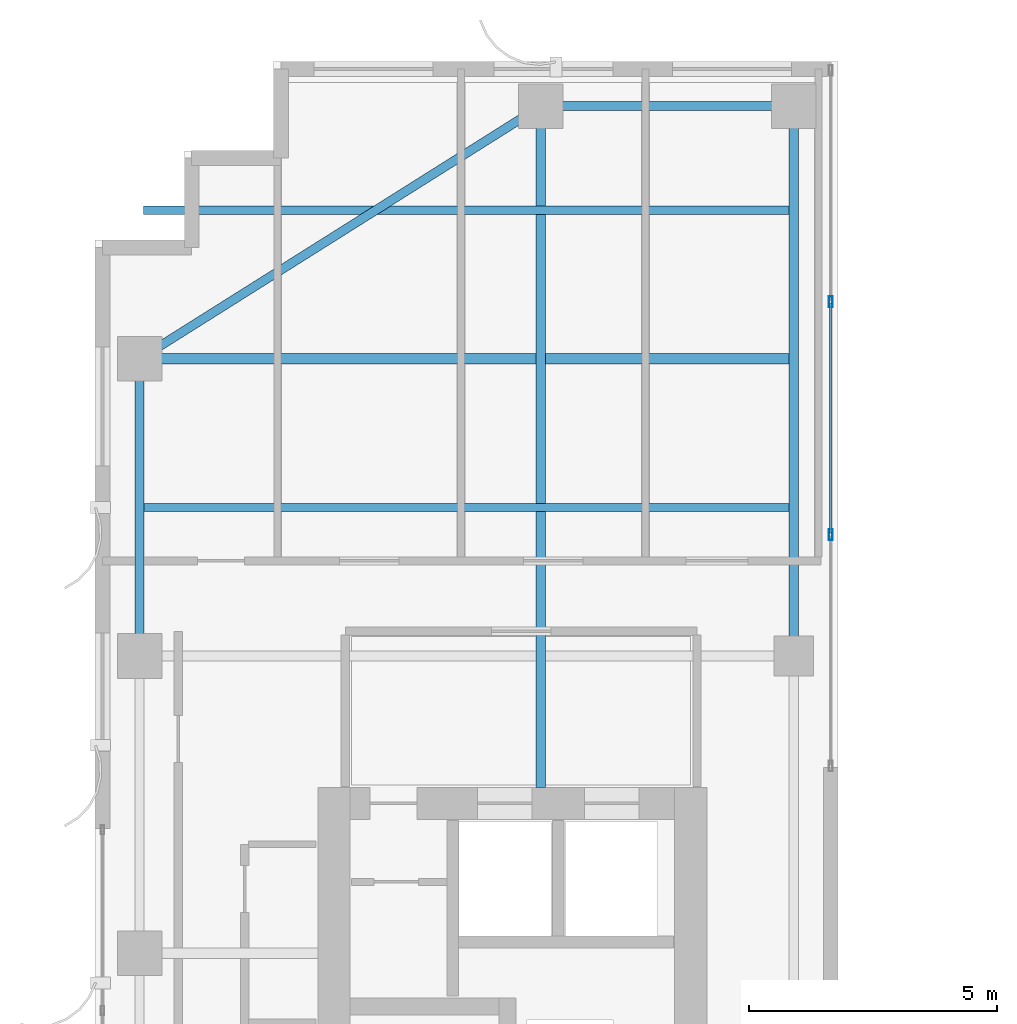
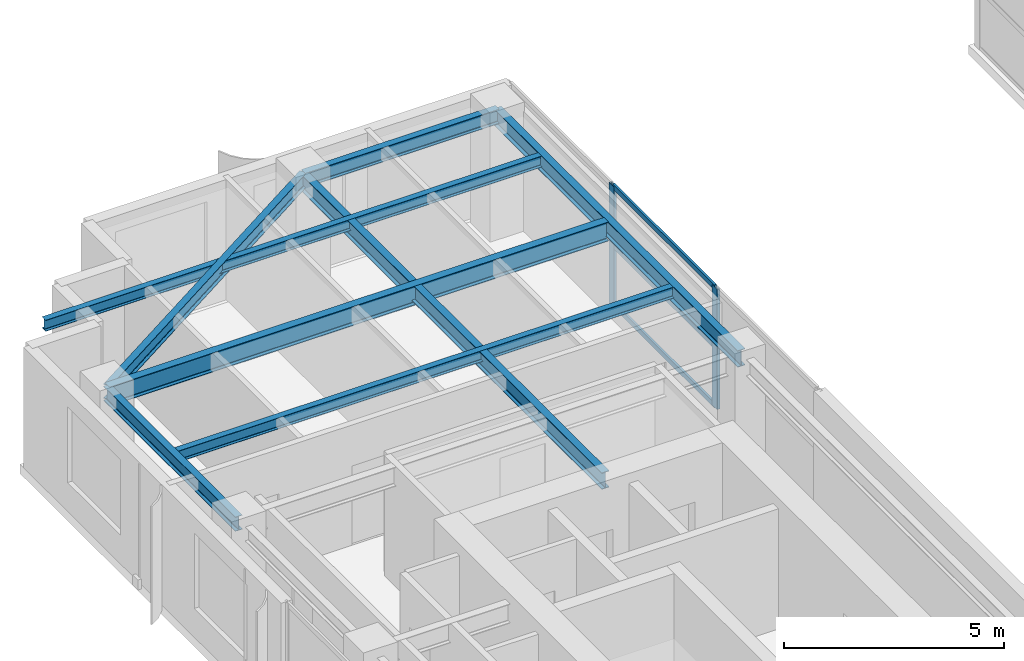
# One storey, part 13 of 22: 8 beams, 5 members, 1 element without a shape of its own.
"""IFC4 building model written with IfcOpenShell, lengths in metres."""

import ifcopenshell
import ifcopenshell.guid

model = None  # the IFC model being written
_history = None  # IfcOwnerHistory: only IFC2X3 demands one
_inside = {}  # id of a spatial element -> (the spatial element, [elements in it])
_under = {}  # id of a project, library or spatial element -> (it, [spatial elements below it])
_declared = {}  # id of a project -> (the project, [libraries it declares])
_typed = {}  # id of a type object -> (the type object, [elements of that type])
_made_of = {}  # id of a material, layer set ... -> (it, [elements and type objects made of it])


def new_model(schema):
    """Start an empty IFC model of exactly this schema.

    Asked for "IFC4X3", IfcOpenShell would pick the latest addendum, in which some entities
    have other attributes; the version numbers below select the first issue.
    IFC2X3 requires an IfcOwnerHistory on every rooted entity: one is made here for all.
    """
    global model, _history
    if schema == "IFC4X3":
        model = ifcopenshell.file(schema_version=(4, 3, 0, 0))
    else:
        model = ifcopenshell.file(schema=schema)
    _inside.clear()
    _under.clear()
    _declared.clear()
    _typed.clear()
    _made_of.clear()
    _history = None
    if model.schema == "IFC2X3":
        org = make("IfcOrganization", Name="unknown")
        user = make(
            "IfcPersonAndOrganization",
            ThePerson=make("IfcPerson", FamilyName="unknown"),
            TheOrganization=org,
        )
        app = make(
            "IfcApplication",
            ApplicationDeveloper=org,
            Version="unknown",
            ApplicationFullName="unknown",
            ApplicationIdentifier="unknown",
        )
        _history = make(
            "IfcOwnerHistory",
            OwningUser=user,
            OwningApplication=app,
            ChangeAction="ADDED",
            CreationDate=0,
        )
    return model


def make(cls, **values):
    """One entity of the class cls with the attributes given. An attribute that is None is left unset."""
    return model.create_entity(
        cls, **{name: value for name, value in values.items() if value is not None}
    )


def rooted(cls, **values):
    """An entity with a GlobalId (a new one), such as an element, a storey or a relation."""
    return make(cls, GlobalId=ifcopenshell.guid.new(), OwnerHistory=_history, **values)


def si_unit(unit_type, name, prefix=None):
    """IfcSIUnit, for example si_unit("LENGTHUNIT", "METRE", prefix="MILLI")."""
    return make("IfcSIUnit", UnitType=unit_type, Prefix=prefix, Name=name)


def assignment(units):
    """IfcUnitAssignment: the units of a project."""
    return None if units is None else make("IfcUnitAssignment", Units=units)


def point(xyz):
    """IfcCartesianPoint."""
    return None if xyz is None else make("IfcCartesianPoint", Coordinates=xyz)


def direction(xyz):
    """IfcDirection."""
    return None if xyz is None else make("IfcDirection", DirectionRatios=xyz)


def frame(location, z_axis=None, x_axis=None):
    """IfcAxis2Placement3D, a coordinate frame: its origin and axes. An axis left out is left unset."""
    return make(
        "IfcAxis2Placement3D",
        Location=point(location),
        Axis=direction(z_axis),
        RefDirection=direction(x_axis),
    )


def frame_2d(location, x_axis=None):
    """IfcAxis2Placement2D, a coordinate frame in the plane: its origin and x axis."""
    return make(
        "IfcAxis2Placement2D", Location=point(location), RefDirection=direction(x_axis)
    )


def origin():
    """The frame at (0, 0, 0) with its axes left unset."""
    return frame((0.0, 0.0, 0.0))


def origin_2d():
    """The frame at (0, 0) in the plane with its x axis left unset."""
    return frame_2d((0.0, 0.0))


def place(relative_to, where):
    """IfcLocalPlacement: puts the frame where relative to a parent placement (None: the world)."""
    return make(
        "IfcLocalPlacement", PlacementRelTo=relative_to, RelativePlacement=where
    )


def context(
    kind, dimensions, precision=None, world=None, true_north=None, identifier=None
):
    """IfcGeometricRepresentationContext, for example the 3D "Model" context."""
    return make(
        "IfcGeometricRepresentationContext",
        ContextIdentifier=identifier,
        ContextType=kind,
        CoordinateSpaceDimension=dimensions,
        Precision=precision,
        WorldCoordinateSystem=world,
        TrueNorth=true_north,
    )


def subcontext(parent, identifier, kind, view, scale=None):
    """IfcGeometricRepresentationSubContext, for example "Body" below "Model"."""
    return make(
        "IfcGeometricRepresentationSubContext",
        ContextIdentifier=identifier,
        ContextType=kind,
        ParentContext=parent,
        TargetScale=scale,
        TargetView=view,
    )


def project(units=None, contexts=None):
    """IfcProject with its units and contexts."""
    return rooted(
        "IfcProject",
        Name="project",
        RepresentationContexts=contexts,
        UnitsInContext=assignment(units),
    )


def spatial(cls, under=None, at=None, **own):
    """A site, building, storey or space (cls), placed at a placement, below another one or the project."""
    s = rooted(cls, ObjectPlacement=at, **own)
    if under is not None:
        _under.setdefault(under.id(), (under, []))[1].append(s)
    return s


def profile(cls, at=None, kind="AREA", **sizes):
    """A parametric profile (cls). Its sizes go by their IFC names, for example OverallWidth=200.0."""
    return make(cls, ProfileType=kind, Position=at, **sizes)


def hollow_rectangle(**sizes):
    """IfcRectangleHollowProfileDef."""
    return profile("IfcRectangleHollowProfileDef", **sizes)


def i_section(**sizes):
    """IfcIShapeProfileDef."""
    return profile("IfcIShapeProfileDef", **sizes)


def extrude(swept, where, along, depth):
    """IfcExtrudedAreaSolid: the profile swept, set in the frame where, extruded along a direction by depth."""
    return make(
        "IfcExtrudedAreaSolid",
        SweptArea=swept,
        Position=where,
        ExtrudedDirection=direction(along),
        Depth=depth,
    )


def shape(context_of_items, identifier, shape_type, items):
    """IfcShapeRepresentation: the items that make up one representation, for example the "Body"."""
    return make(
        "IfcShapeRepresentation",
        ContextOfItems=context_of_items,
        RepresentationIdentifier=identifier,
        RepresentationType=shape_type,
        Items=items,
    )


def source(mapping_origin, context_of_items, identifier, shape_type, items):
    """IfcRepresentationMap: a shape defined once, which mapped items show again and again."""
    return make(
        "IfcRepresentationMap",
        MappingOrigin=mapping_origin,
        MappedRepresentation=shape(context_of_items, identifier, shape_type, items),
    )


def transform(
    local_origin,
    x_axis=None,
    y_axis=None,
    z_axis=None,
    scale=None,
    scale2=None,
    scale3=None,
    uniform=True,
):
    """IfcCartesianTransformationOperator3D, or its non-uniform kind. x_axis, y_axis, z_axis: its Axis1, 2, 3."""
    if uniform:
        return make(
            "IfcCartesianTransformationOperator3D",
            Axis1=direction(x_axis),
            Axis2=direction(y_axis),
            LocalOrigin=point(local_origin),
            Scale=scale,
            Axis3=direction(z_axis),
        )
    return make(
        "IfcCartesianTransformationOperator3DnonUniform",
        Axis1=direction(x_axis),
        Axis2=direction(y_axis),
        LocalOrigin=point(local_origin),
        Scale=scale,
        Axis3=direction(z_axis),
        Scale2=scale2,
        Scale3=scale3,
    )


def mapped(mapping_source, mapping_target):
    """IfcMappedItem: shows the shape of a source again, moved by a transform."""
    return make(
        "IfcMappedItem", MappingSource=mapping_source, MappingTarget=mapping_target
    )


def material(Name=None, Category=None):
    """IfcMaterial."""
    return make("IfcMaterial", Name=Name, Category=Category)


def layer(
    of_material, thickness, ventilated=None, Name=None, Category=None, Priority=None
):
    """IfcMaterialLayer: one layer of a wall or slab, of a material (None: an air gap)."""
    return make(
        "IfcMaterialLayer",
        Material=of_material,
        LayerThickness=thickness,
        IsVentilated=ventilated,
        Name=Name,
        Category=Category,
        Priority=Priority,
    )


def layer_set(layers, Name=None):
    """IfcMaterialLayerSet."""
    return make("IfcMaterialLayerSet", MaterialLayers=layers, LayerSetName=Name)


def material_profile(
    of_material, cross_section, Name=None, Category=None, Priority=None
):
    """IfcMaterialProfile: a cross section and its material."""
    return make(
        "IfcMaterialProfile",
        Name=Name,
        Material=of_material,
        Profile=cross_section,
        Priority=Priority,
        Category=Category,
    )


def profile_set(profiles, Name=None, composite=None):
    """IfcMaterialProfileSet."""
    return make(
        "IfcMaterialProfileSet",
        Name=Name,
        MaterialProfiles=profiles,
        CompositeProfile=composite,
    )


def made_of(thing, what):
    """Note that an element or type object is made of a material, layer set ...; save() writes the relation."""
    if what is not None:
        _made_of.setdefault(what.id(), (what, []))[1].append(thing)
    return thing


def type_object(cls, material=None, **own):
    """A type object (cls), such as IfcWallType, which elements share."""
    return made_of(rooted(cls, **own), material)


def element(
    cls,
    number,
    at=None,
    inside=None,
    cuts=None,
    type_object=None,
    material=None,
    context=None,
    identifier="Body",
    shape_type=None,
    held_by="IfcProductDefinitionShape",
    body=None,
    shapes=None,
    **own,
):
    """One element of the class cls, such as IfcWall. Its Tag is "e" and its number.

    at: its placement. inside: the storey or other place that contains it. cuts: it is an
    opening in that element (IfcRelVoidsElement). A single representation is given by context,
    identifier, shape_type and body (its items); several are given by shapes. held_by: the class
    of the entity that holds the representations. save() writes the other relations.
    """
    e = rooted(cls, Tag="e%d" % number, ObjectPlacement=at, **own)
    if body is not None:
        shapes = [shape(context, identifier, shape_type, body)]
    if shapes is not None:
        e.Representation = make(held_by, Representations=shapes)
    if inside is not None:
        _inside.setdefault(inside.id(), (inside, []))[1].append(e)
    if cuts is not None:
        rooted(
            "IfcRelVoidsElement", RelatingBuildingElement=cuts, RelatedOpeningElement=e
        )
    if type_object is not None:
        _typed.setdefault(type_object.id(), (type_object, []))[1].append(e)
    return made_of(e, material)


def aggregate(whole, parts):
    """IfcRelAggregates: a whole, such as a stair, and the parts it consists of."""
    return rooted("IfcRelAggregates", RelatingObject=whole, RelatedObjects=parts)


def save(model, path):
    """Write the relations noted so far, then the file.

    IfcRelAggregates (storeys below a building ...), IfcRelContainedInSpatialStructure (elements
    in a storey), IfcRelDefinesByType, IfcRelAssociatesMaterial and IfcRelDeclares: one each for
    every whole, place, type object, material and project.
    """
    for whole, parts in _under.values():
        aggregate(whole, parts)
    for where, things in _inside.values():
        rooted(
            "IfcRelContainedInSpatialStructure",
            RelatedElements=things,
            RelatingStructure=where,
        )
    for kind, things in _typed.values():
        rooted("IfcRelDefinesByType", RelatedObjects=things, RelatingType=kind)
    for what, things in _made_of.values():
        rooted("IfcRelAssociatesMaterial", RelatedObjects=things, RelatingMaterial=what)
    for by, libraries in _declared.values():
        rooted("IfcRelDeclares", RelatingContext=by, RelatedDefinitions=libraries)
    model.write(path)


model = new_model("IFC4")

# Units and contexts
model_context = context("Model", 3, precision=1e-05, world=origin(), true_north=direction((0.0, 1.0)))
body_context = subcontext(model_context, "Body", "Model", "MODEL_VIEW")
ifc_project = project(units=[si_unit("LENGTHUNIT", "METRE"), si_unit("AREAUNIT", "SQUARE_METRE"), si_unit("VOLUMEUNIT", "CUBIC_METRE"), si_unit("PLANEANGLEUNIT", "RADIAN"), si_unit("MASSUNIT", "GRAM", prefix="KILO")], contexts=[model_context])

# Site, building, storey
site_placement = place(None, origin())
site = spatial("IfcSite", under=ifc_project, at=site_placement, CompositionType="ELEMENT")
building_placement = place(site_placement, origin())
building = spatial("IfcBuilding", under=site, at=building_placement, Name="Khoralis Quay Care Tower", CompositionType="ELEMENT")
storey_placement = place(building_placement, frame((0.0, 0.0, 188.10009765625)))
storey = spatial("IfcBuildingStorey", under=building, at=storey_placement, Name="L49", CompositionType="ELEMENT", Elevation=188.10009765625)

# Beams
ifc_material_1 = material(Name="Steel S355", Category="steel")
ifc_material_profile_1 = material_profile(ifc_material_1, i_section(OverallWidth=0.179931640625, OverallDepth=0.39990234375, WebThickness=0.008544921875, FlangeThickness=0.013427734375, FilletRadius=0.02099609375, at=origin_2d()), Name="Steel S355")
ifc_profile_set_1 = profile_set([ifc_material_profile_1], Name="Steel S355")
beam_type_1 = type_object("IfcBeamType", Name="BM-IPE400", PredefinedType="SPANDREL", material=ifc_profile_set_1)
shared_shape_1 = source(origin(), body_context, "Body", "SweptSolid", [
    extrude(i_section(OverallWidth=0.179931640625, OverallDepth=0.39990234375, WebThickness=0.008544921875, FlangeThickness=0.013427734375, FilletRadius=0.02099609375, at=origin_2d()), origin(), (0.0, 0.0, 1.0), 6.0),
])
beam_1_placement = place(storey_placement, frame((3.89990234375, 30.0, 3.139892578125), z_axis=(0.0, 1.0, 0.0), x_axis=(-1.0, 0.0, 0.0)))
element("IfcBeam", 1, at=beam_1_placement, inside=storey, type_object=beam_type_1, Name="BM-TSP-L49-09", PredefinedType="SPANDREL", context=body_context, shape_type="MappedRepresentation", body=[
    mapped(shared_shape_1, transform((0.0, 0.0, 0.0), scale=1.0)),
])
shared_shape_2 = source(origin(), body_context, "Body", "SweptSolid", [
    extrude(i_section(OverallWidth=0.179931640625, OverallDepth=0.39990234375, WebThickness=0.008544921875, FlangeThickness=0.013427734375, FilletRadius=0.02099609375, at=origin_2d()), origin(), (0.0, 0.0, 1.0), 5.10009765625),
])
beam_2_placement = place(storey_placement, frame((12.0, 41.10009765625, 3.139892578125), z_axis=(1.0, 0.0, 0.0), x_axis=(0.0, 1.0, 0.0)))
element("IfcBeam", 2, at=beam_2_placement, inside=storey, type_object=beam_type_1, Name="BM-TSP-L49-03", PredefinedType="SPANDREL", context=body_context, shape_type="MappedRepresentation", body=[
    mapped(shared_shape_2, transform((0.0, 0.0, 0.0), scale=1.0)),
])
shared_shape_3 = source(origin(), body_context, "Body", "SweptSolid", [
    extrude(i_section(OverallWidth=0.179931640625, OverallDepth=0.39990234375, WebThickness=0.008544921875, FlangeThickness=0.013427734375, FilletRadius=0.02099609375, at=origin_2d()), origin(), (0.0, 0.0, 1.0), 9.572021484375),
])
beam_3_placement = place(storey_placement, frame((12.0, 41.10009765625, 3.139892578125), z_axis=(-0.846231136359, -0.532815975602, 0.0), x_axis=(0.532815975602, -0.846231136359, 0.0)))
element("IfcBeam", 3, at=beam_3_placement, inside=storey, type_object=beam_type_1, Name="BM-TCR-L49-17", PredefinedType="SPANDREL", context=body_context, shape_type="MappedRepresentation", body=[
    mapped(shared_shape_3, transform((0.0, 0.0, 0.0), scale=1.0)),
])
ifc_material_profile_2 = material_profile(ifc_material_1, i_section(OverallWidth=0.208984375, OverallDepth=0.532958984375, WebThickness=0.01025390625, FlangeThickness=0.015625, FilletRadius=0.01611328125, at=origin_2d()), Name="Steel S355")
ifc_profile_set_2 = profile_set([ifc_material_profile_2], Name="Steel S355")
beam_type_2 = type_object("IfcBeamType", Name="BM-W530X92", PredefinedType="BEAM", material=ifc_profile_set_2)
shared_shape_4 = source(origin(), body_context, "Body", "SweptSolid", [
    extrude(i_section(OverallWidth=0.208984375, OverallDepth=0.532958984375, WebThickness=0.01025390625, FlangeThickness=0.015625, FilletRadius=0.01611328125, at=origin_2d()), origin(), (0.0, 0.0, 1.0), 13.1162109375),
])
beam_4_placement = place(storey_placement, frame((3.89990234375, 36.0, 3.073486328125), z_axis=(1.0, 0.0, 0.0), x_axis=(0.0, 1.0, 0.0)))
element("IfcBeam", 4, at=beam_4_placement, inside=storey, type_object=beam_type_2, Name="BM-TGXW-L49-360", PredefinedType="BEAM", context=body_context, shape_type="MappedRepresentation", body=[
    mapped(shared_shape_4, transform((0.0, 0.0, 0.0), scale=1.0)),
])
ifc_material_profile_3 = material_profile(ifc_material_1, i_section(OverallWidth=0.19189453125, OverallDepth=0.462890625, WebThickness=0.010498046875, FlangeThickness=0.017578125, FilletRadius=0.014892578125, at=origin_2d()), Name="Steel S355")
ifc_profile_set_3 = profile_set([ifc_material_profile_3], Name="Steel S355")
beam_type_3 = type_object("IfcBeamType", Name="BM-W460X89", PredefinedType="BEAM", material=ifc_profile_set_3)
shared_shape_5 = source(origin(), body_context, "Body", "SweptSolid", [
    extrude(i_section(OverallWidth=0.19189453125, OverallDepth=0.462890625, WebThickness=0.010498046875, FlangeThickness=0.017578125, FilletRadius=0.014892578125, at=origin_2d()), origin(), (0.0, 0.0, 1.0), 11.10009765625),
])
beam_5_placement = place(storey_placement, frame((17.10009765625, 30.0, 3.1083984375), z_axis=(0.0, 1.0, 0.0), x_axis=(-1.0, 0.0, 0.0)))
element("IfcBeam", 5, at=beam_5_placement, inside=storey, type_object=beam_type_3, Name="BM-TGYN-L49-171", PredefinedType="BEAM", context=body_context, shape_type="MappedRepresentation", body=[
    mapped(shared_shape_5, transform((0.0, 0.0, 0.0), scale=1.0)),
])
shared_shape_6 = source(origin(), body_context, "Body", "SweptSolid", [
    extrude(i_section(OverallWidth=0.19189453125, OverallDepth=0.462890625, WebThickness=0.010498046875, FlangeThickness=0.017578125, FilletRadius=0.014892578125, at=origin_2d()), origin(), (0.0, 0.0, 1.0), 13.752197265625),
])
beam_6_placement = place(storey_placement, frame((12.0, 27.347900390625, 3.1083984375), z_axis=(0.0, 1.0, 0.0), x_axis=(-1.0, 0.0, 0.0)))
element("IfcBeam", 6, at=beam_6_placement, inside=storey, type_object=beam_type_3, Name="BM-TGYN-L49-120", PredefinedType="BEAM", context=body_context, shape_type="MappedRepresentation", body=[
    mapped(shared_shape_6, transform((0.0, 0.0, 0.0), scale=1.0)),
])
ifc_material_profile_4 = material_profile(ifc_material_1, i_section(OverallWidth=0.1650390625, OverallDepth=0.31005859375, WebThickness=0.005859375, FlangeThickness=0.009765625, FilletRadius=0.011962890625, at=origin_2d()), Name="Steel S355")
ifc_profile_set_4 = profile_set([ifc_material_profile_4], Name="Steel S355")
beam_type_4 = type_object("IfcBeamType", Name="BM-W310X39", PredefinedType="JOIST", material=ifc_profile_set_4)
shared_shape_7 = source(origin(), body_context, "Body", "SweptSolid", [
    extrude(i_section(OverallWidth=0.1650390625, OverallDepth=0.31005859375, WebThickness=0.005859375, FlangeThickness=0.009765625, FilletRadius=0.011962890625, at=origin_2d()), origin(), (0.0, 0.0, 1.0), 13.0400390625),
])
for number, where, z_axis, x_axis, name in (
    (7, (3.97607421875, 33.0, 3.184814453125), (1.0, 0.0, 0.0), (0.0, 1.0, 0.0), "BM-TJS-L49-21"),
    (8, (3.97607421875, 39.0, 3.184814453125), (1.0, 0.0, 0.0), (0.0, 1.0, 0.0), "BM-TJS-L49-23"),
):
    element("IfcBeam", number, at=place(storey_placement, frame(where, z_axis=z_axis, x_axis=x_axis)), inside=storey, type_object=beam_type_4, Name=name, PredefinedType="JOIST", context=body_context, shape_type="MappedRepresentation", body=[
        mapped(shared_shape_7, transform((0.0, 0.0, 0.0), scale=1.0)),
    ])

# Curtain wall, members
ifc_material_2 = material(Name="Pale anodised aluminium", Category="aluminium")
ifc_layer = layer(ifc_material_2, 0.18994140625)
ifc_layer_set = layer_set([ifc_layer], Name="Pale anodised aluminium")
curtain_wall_type = type_object("IfcCurtainWallType", Name="CW-SYS-PORTAL", PredefinedType="NOTDEFINED", material=ifc_layer_set)
curtain_wall_placement = place(storey_placement, origin())
curtain_wall = element("IfcCurtainWall", 9, at=curtain_wall_placement, inside=storey, type_object=curtain_wall_type, Name="L49 Unitised Curtain Wall CW-VP-L49-P1-N", PredefinedType="NOTDEFINED")
ifc_material_profile_5 = material_profile(ifc_material_2, hollow_rectangle(XDim=0.06005859375, YDim=0.139892578125, WallThickness=0.00390625, at=origin_2d()), Name="Pale anodised aluminium")
ifc_profile_set_5 = profile_set([ifc_material_profile_5], Name="Pale anodised aluminium")
member_type_1 = type_object("IfcMemberType", Name="CW-TRN-140", PredefinedType="USERDEFINED", material=ifc_profile_set_5)
shared_shape_8 = source(origin(), body_context, "Body", "SweptSolid", [
    extrude(hollow_rectangle(XDim=0.06005859375, YDim=0.139892578125, WallThickness=0.00390625, at=origin_2d()), origin(), (0.0, 0.0, 1.0), 4.64013671875),
])
member_1_placement = place(storey_placement, frame((17.85009765625, 32.47998046875, 0.02978515625), z_axis=(0.0, 1.0, 0.0), x_axis=(-1.0, 0.0, 0.0)))
member_1 = element("IfcMember", 10, at=member_1_placement, type_object=member_type_1, Name="CW4 transom 2.1", ObjectType="TRANSOM", PredefinedType="USERDEFINED", context=body_context, shape_type="MappedRepresentation", body=[
    mapped(shared_shape_8, transform((0.0, 0.0, 0.0), scale=1.0)),
])
member_2_placement = place(storey_placement, frame((17.85009765625, 32.47998046875, 1.669921875), z_axis=(0.0, 1.0, 0.0), x_axis=(-1.0, 0.0, 0.0)))
member_2 = element("IfcMember", 11, at=member_2_placement, type_object=member_type_1, Name="CW4 transom 2.2", ObjectType="TRANSOM", PredefinedType="USERDEFINED", context=body_context, shape_type="MappedRepresentation", body=[
    mapped(shared_shape_8, transform((0.0, 0.0, 0.0), scale=1.0)),
])
member_3_placement = place(storey_placement, frame((17.85009765625, 32.47998046875, 3.309814453125), z_axis=(0.0, 1.0, 0.0), x_axis=(-1.0, 0.0, 0.0)))
member_3 = element("IfcMember", 12, at=member_3_placement, type_object=member_type_1, Name="CW4 transom 2.3", ObjectType="TRANSOM", PredefinedType="USERDEFINED", context=body_context, shape_type="MappedRepresentation", body=[
    mapped(shared_shape_8, transform((0.0, 0.0, 0.0), scale=1.0)),
])
ifc_material_profile_6 = material_profile(ifc_material_2, hollow_rectangle(XDim=0.074951171875, YDim=0.219970703125, WallThickness=0.00390625, at=origin_2d()), Name="Pale anodised aluminium")
ifc_profile_set_6 = profile_set([ifc_material_profile_6], Name="Pale anodised aluminium")
member_type_2 = type_object("IfcMemberType", Name="CW-MUL-220", PredefinedType="MULLION", material=ifc_profile_set_6)
shared_shape_9 = source(origin(), body_context, "Body", "SweptSolid", [
    extrude(hollow_rectangle(XDim=0.074951171875, YDim=0.219970703125, WallThickness=0.00390625, at=origin_2d()), origin(), (0.0, 0.0, 1.0), 3.33984375),
])
member_4_placement = place(storey_placement, frame((17.85009765625, 32.449951171875, 0.0), z_axis=(0.0, 0.0, 1.0), x_axis=(-1.0, 0.0, 0.0)))
member_4 = element("IfcMember", 13, at=member_4_placement, type_object=member_type_2, Name="CW4 mullion 2", PredefinedType="MULLION", context=body_context, shape_type="MappedRepresentation", body=[
    mapped(shared_shape_9, transform((0.0, 0.0, 0.0), scale=1.0)),
])
member_5_placement = place(storey_placement, frame((17.85009765625, 37.14990234375, 0.0), z_axis=(0.0, 0.0, 1.0), x_axis=(-1.0, 0.0, 0.0)))
member_5 = element("IfcMember", 14, at=member_5_placement, type_object=member_type_2, Name="CW4 mullion 3", PredefinedType="MULLION", context=body_context, shape_type="MappedRepresentation", body=[
    mapped(shared_shape_9, transform((0.0, 0.0, 0.0), scale=1.0)),
])
aggregate(curtain_wall, [member_4, member_5, member_1, member_2, member_3])

save(model, "model.ifc")
